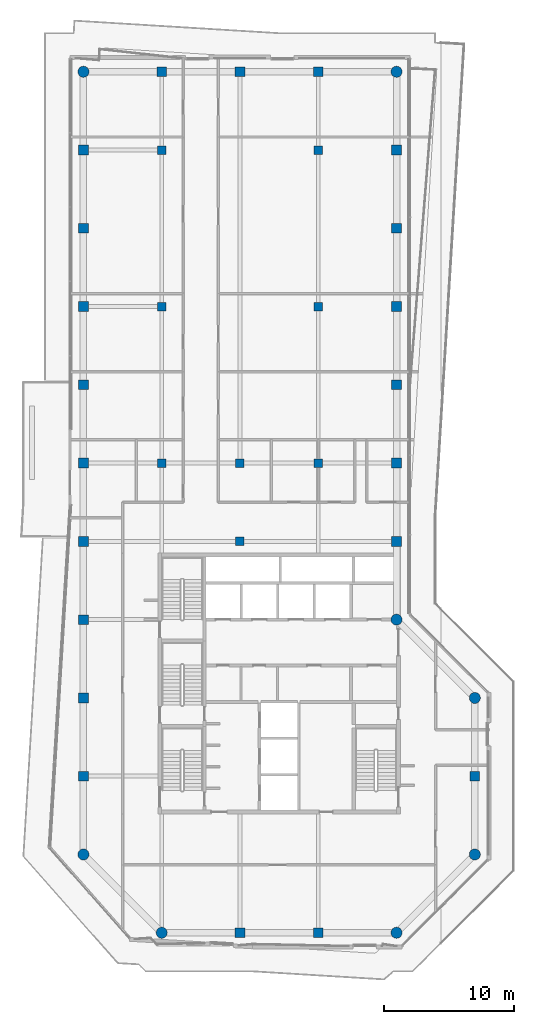
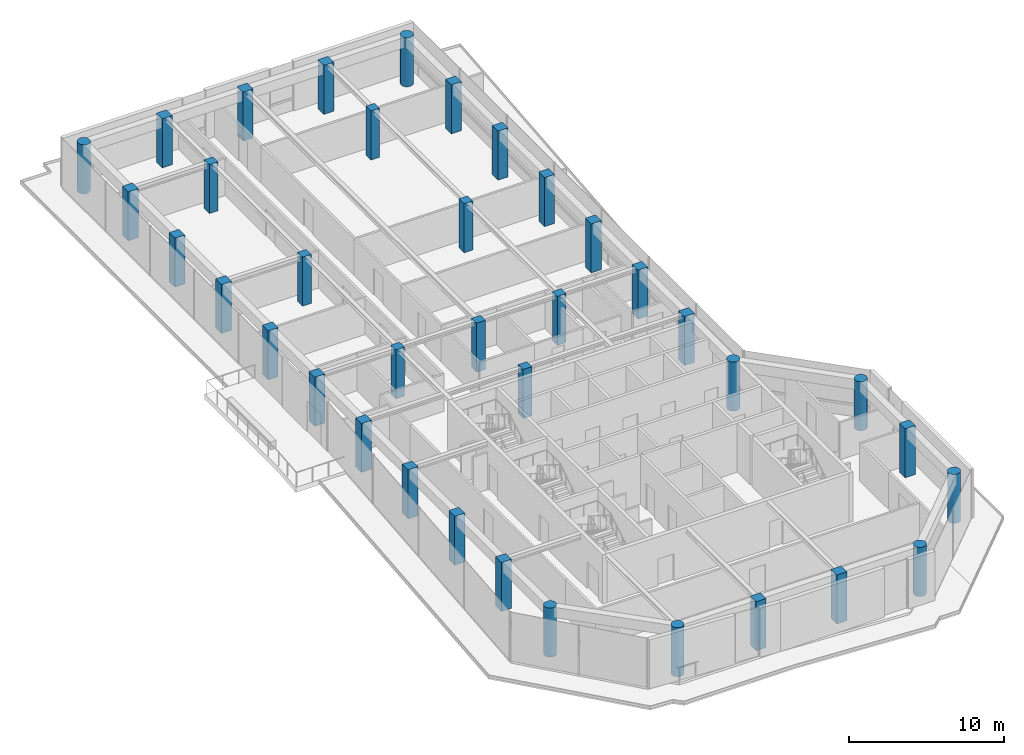
# One storey, part 1 of 18: 37 columns.
"""IFC4 building model written with IfcOpenShell, lengths in metres."""

from ifc_helpers import new_model, si_unit, direction, frame, origin, origin_2d, place, context, subcontext, project, spatial, rectangle, circle, extrude, material, material_profile, profile_set, type_object, element, save


model = new_model("IFC4")

# Units and contexts
model_context = context("Model", 3, precision=1e-05, world=origin(), true_north=direction((0.0, 1.0)))
body_context = subcontext(model_context, "Body", "Model", "MODEL_VIEW")
ifc_project = project(units=[si_unit("LENGTHUNIT", "METRE"), si_unit("AREAUNIT", "SQUARE_METRE"), si_unit("VOLUMEUNIT", "CUBIC_METRE"), si_unit("PLANEANGLEUNIT", "RADIAN"), si_unit("MASSUNIT", "GRAM", prefix="KILO")], contexts=[model_context])

# Site, building, storey
site_placement = place(None, origin())
site = spatial("IfcSite", under=ifc_project, at=site_placement, CompositionType="ELEMENT")
building_placement = place(site_placement, origin())
building = spatial("IfcBuilding", under=site, at=building_placement, Name="Welwitschia Terrace Campus", CompositionType="ELEMENT")
storey_placement = place(building_placement, frame((0.0, 0.0, 272.60009765625)))
storey = spatial("IfcBuildingStorey", under=building, at=storey_placement, Name="L60", CompositionType="ELEMENT", Elevation=272.60009765625)

# Columns
ifc_material_1 = material(Name="Concrete C50/60", Category="concrete")
ifc_material_profile_1 = material_profile(ifc_material_1, circle(Radius=0.425048828125, at=origin_2d()))
ifc_profile_set_1 = profile_set([ifc_material_profile_1], Name="Concrete C50/60")
column_type_1 = type_object("IfcColumnType", Name="Corner column 850 dia", PredefinedType="COLUMN", material=ifc_profile_set_1)
for number, where, z_axis, x_axis, name in (
    (1, (0.0, 2.0, 0.0), (0.0, 0.0, 1.0), (1.0, 0.0, 0.0), "Column C41"),
    (2, (0.0, 62.0, 0.0), (0.0, 0.0, 1.0), (1.0, 0.0, 0.0), "Column C41"),
    (3, (6.0, -4.0, 0.0), (0.0, 0.0, 1.0), (1.0, 0.0, 0.0), "Column C41"),
    (4, (24.0, -4.0, 0.0), (0.0, 0.0, 1.0), (1.0, 0.0, 0.0), "Column C41"),
    (5, (24.0, 20.0, 0.0), (0.0, 0.0, 1.0), (1.0, 0.0, 0.0), "Column C41"),
    (6, (24.0, 62.0, 0.0), (0.0, 0.0, 1.0), (1.0, 0.0, 0.0), "Column C41"),
    (7, (30.0, 2.0, 0.0), (0.0, 0.0, 1.0), (1.0, 0.0, 0.0), "Column C41"),
    (8, (30.0, 14.0, 0.0), (0.0, 0.0, 1.0), (1.0, 0.0, 0.0), "Column C41"),
):
    element("IfcColumn", number, at=place(storey_placement, frame(where, z_axis=z_axis, x_axis=x_axis)), inside=storey, type_object=column_type_1, Name=name, PredefinedType="COLUMN", context=body_context, shape_type="SweptSolid", body=[
        extrude(circle(Radius=0.425048828125, at=origin_2d()), origin(), (0.0, 0.0, 1.0), 3.849853515625),
    ])
ifc_material_2 = material(Name="Concrete C50/60", Category="concrete")
ifc_material_profile_2 = material_profile(ifc_material_2, rectangle(XDim=0.64990234375, YDim=0.64990234375, at=origin_2d()))
ifc_profile_set_2 = profile_set([ifc_material_profile_2], Name="Concrete C50/60")
column_type_2 = type_object("IfcColumnType", Name="Interior column 650x650", PredefinedType="COLUMN", material=ifc_profile_set_2)
for number, where, z_axis, x_axis, name in (
    (9, (6.0, 32.0, 0.0), (0.0, 0.0, 1.0), (1.0, 0.0, 0.0), "Column C43"),
    (10, (6.0, 44.0, 0.0), (0.0, 0.0, 1.0), (1.0, 0.0, 0.0), "Column C43"),
    (11, (6.0, 56.0, 0.0), (0.0, 0.0, 1.0), (1.0, 0.0, 0.0), "Column C43"),
    (12, (12.0, 26.0, 0.0), (0.0, 0.0, 1.0), (1.0, 0.0, 0.0), "Column C43"),
    (13, (12.0, 32.0, 0.0), (0.0, 0.0, 1.0), (1.0, 0.0, 0.0), "Column C43"),
    (14, (18.0, 32.0, 0.0), (0.0, 0.0, 1.0), (1.0, 0.0, 0.0), "Column C43"),
    (15, (18.0, 44.0, 0.0), (0.0, 0.0, 1.0), (1.0, 0.0, 0.0), "Column C43"),
    (16, (18.0, 56.0, 0.0), (0.0, 0.0, 1.0), (1.0, 0.0, 0.0), "Column C43"),
):
    element("IfcColumn", number, at=place(storey_placement, frame(where, z_axis=z_axis, x_axis=x_axis)), inside=storey, type_object=column_type_2, Name=name, PredefinedType="COLUMN", context=body_context, shape_type="SweptSolid", body=[
        extrude(rectangle(XDim=0.64990234375, YDim=0.64990234375, at=origin_2d()), origin(), (0.0, 0.0, 1.0), 3.849853515625),
    ])
ifc_material_3 = material(Name="Concrete C50/60", Category="concrete")
ifc_material_profile_3 = material_profile(ifc_material_3, rectangle(XDim=0.75, YDim=0.75, at=origin_2d()))
ifc_profile_set_3 = profile_set([ifc_material_profile_3], Name="Concrete C50/60")
column_type_3 = type_object("IfcColumnType", Name="Ring column 750x750", PredefinedType="COLUMN", material=ifc_profile_set_3)
for number, where, z_axis, x_axis, name in (
    (17, (0.0, 8.0, 0.0), (0.0, 0.0, 1.0), (1.0, 0.0, 0.0), "Column C42"),
    (18, (0.0, 14.0, 0.0), (0.0, 0.0, 1.0), (1.0, 0.0, 0.0), "Column C42"),
    (19, (0.0, 20.0, 0.0), (0.0, 0.0, 1.0), (1.0, 0.0, 0.0), "Column C42"),
    (20, (0.0, 26.0, 0.0), (0.0, 0.0, 1.0), (1.0, 0.0, 0.0), "Column C42"),
    (21, (0.0, 32.0, 0.0), (0.0, 0.0, 1.0), (1.0, 0.0, 0.0), "Column C42"),
    (22, (0.0, 38.0, 0.0), (0.0, 0.0, 1.0), (1.0, 0.0, 0.0), "Column C42"),
    (23, (0.0, 44.0, 0.0), (0.0, 0.0, 1.0), (1.0, 0.0, 0.0), "Column C42"),
    (24, (0.0, 50.0, 0.0), (0.0, 0.0, 1.0), (1.0, 0.0, 0.0), "Column C42"),
    (25, (0.0, 56.0, 0.0), (0.0, 0.0, 1.0), (1.0, 0.0, 0.0), "Column C42"),
    (26, (6.0, 62.0, 0.0), (0.0, 0.0, 1.0), (1.0, 0.0, 0.0), "Column C42"),
    (27, (12.0, -4.0, 0.0), (0.0, 0.0, 1.0), (1.0, 0.0, 0.0), "Column C42"),
    (28, (12.0, 62.0, 0.0), (0.0, 0.0, 1.0), (1.0, 0.0, 0.0), "Column C42"),
    (29, (18.0, -4.0, 0.0), (0.0, 0.0, 1.0), (1.0, 0.0, 0.0), "Column C42"),
    (30, (18.0, 62.0, 0.0), (0.0, 0.0, 1.0), (1.0, 0.0, 0.0), "Column C42"),
    (31, (24.0, 26.0, 0.0), (0.0, 0.0, 1.0), (1.0, 0.0, 0.0), "Column C42"),
    (32, (24.0, 32.0, 0.0), (0.0, 0.0, 1.0), (1.0, 0.0, 0.0), "Column C42"),
    (33, (24.0, 38.0, 0.0), (0.0, 0.0, 1.0), (1.0, 0.0, 0.0), "Column C42"),
    (34, (24.0, 44.0, 0.0), (0.0, 0.0, 1.0), (1.0, 0.0, 0.0), "Column C42"),
    (35, (24.0, 50.0, 0.0), (0.0, 0.0, 1.0), (1.0, 0.0, 0.0), "Column C42"),
    (36, (24.0, 56.0, 0.0), (0.0, 0.0, 1.0), (1.0, 0.0, 0.0), "Column C42"),
    (37, (30.0, 8.0, 0.0), (0.0, 0.0, 1.0), (1.0, 0.0, 0.0), "Column C42"),
):
    element("IfcColumn", number, at=place(storey_placement, frame(where, z_axis=z_axis, x_axis=x_axis)), inside=storey, type_object=column_type_3, Name=name, PredefinedType="COLUMN", context=body_context, shape_type="SweptSolid", body=[
        extrude(rectangle(XDim=0.75, YDim=0.75, at=origin_2d()), origin(), (0.0, 0.0, 1.0), 3.849853515625),
    ])

save(model, "model.ifc")
